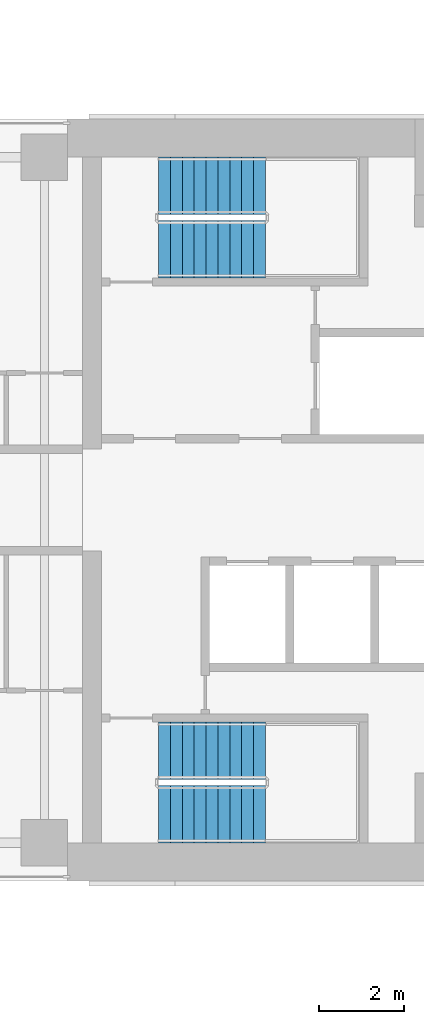
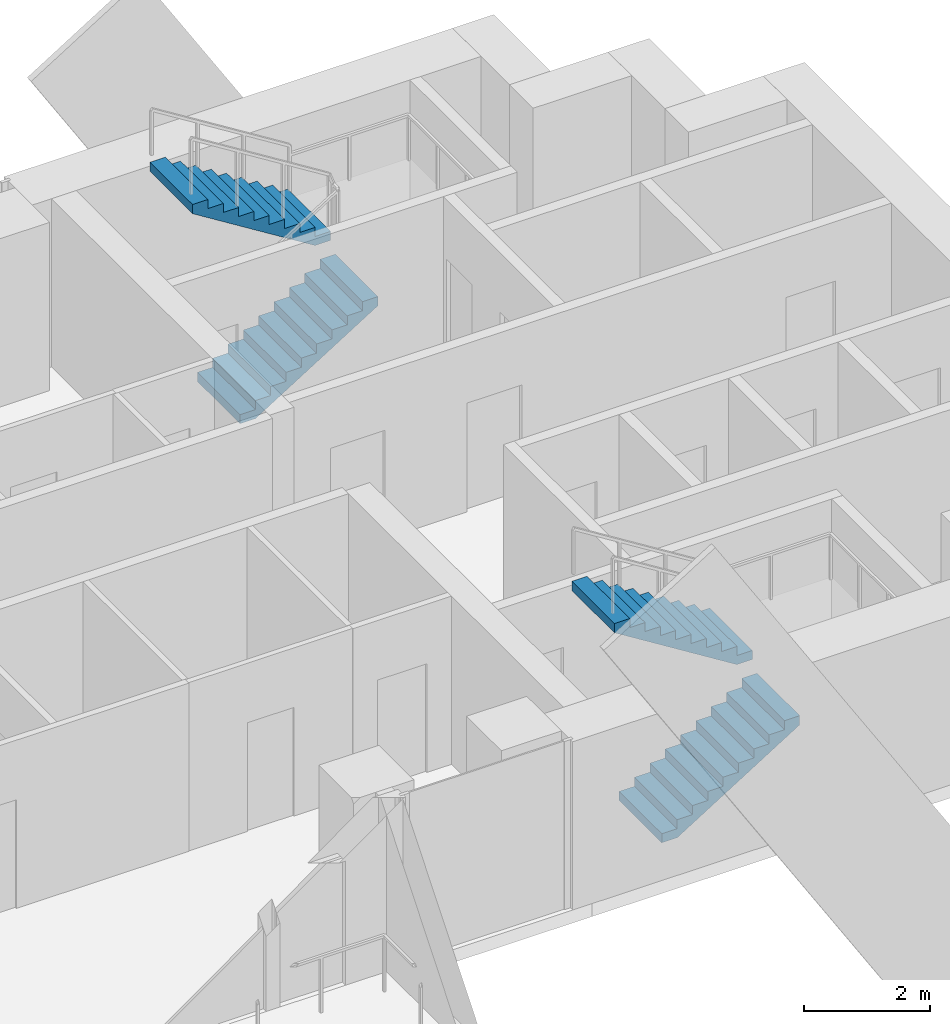
# One storey, part 15 of 19: 4 stair flights, 2 elements without a shape of their own.
"""IFC4 building model written with IfcOpenShell, lengths in metres."""

from ifc_helpers import new_model, si_unit, direction, frame, origin, place, context, subcontext, project, spatial, polyline, outline, extrude, material, type_object, element, aggregate, save


model = new_model("IFC4")

# Units and contexts
model_context = context("Model", 3, precision=1e-05, world=origin(), true_north=direction((0.0, 1.0)))
body_context = subcontext(model_context, "Body", "Model", "MODEL_VIEW")
ifc_project = project(units=[si_unit("LENGTHUNIT", "METRE"), si_unit("AREAUNIT", "SQUARE_METRE"), si_unit("VOLUMEUNIT", "CUBIC_METRE"), si_unit("PLANEANGLEUNIT", "RADIAN"), si_unit("MASSUNIT", "GRAM", prefix="KILO")], contexts=[model_context])

# Site, building, storey
site_placement = place(None, origin())
site = spatial("IfcSite", under=ifc_project, at=site_placement, CompositionType="ELEMENT")
building_placement = place(site_placement, origin())
building = spatial("IfcBuilding", under=site, at=building_placement, Name="Perihelion Cross Residences", CompositionType="ELEMENT")
storey_placement = place(building_placement, frame((0.0, 0.0, 137.39990234375)))
storey = spatial("IfcBuildingStorey", under=building, at=storey_placement, Name="L33", CompositionType="ELEMENT", Elevation=137.39990234375)

# Stair, stair flights
ifc_material_1 = material(Name="Concrete C40/50", Category="concrete")
stair_type = type_object("IfcStairType", Name="Exit stair, half-turn", PredefinedType="HALF_TURN_STAIR", material=ifc_material_1)
stair_1_placement = place(storey_placement, origin())
stair_1 = element("IfcStair", 1, at=stair_1_placement, inside=storey, type_object=stair_type, Name="L33 East core exit stair 1", PredefinedType="HALF_TURN_STAIR")
ifc_material_2 = material(Name="Concrete C40/50", Category="concrete")
stair_flight_type = type_object("IfcStairFlightType", Name="Exit stair flight", PredefinedType="STRAIGHT", material=ifc_material_2)
stair_flight_1_placement = place(storey_placement, frame((23.39990234375, 5.925048828125, 0.0), z_axis=(0.0, 0.0, 1.0), x_axis=(1.0, 0.0, 0.0)))
stair_flight_1 = element("IfcStairFlight", 2, at=stair_flight_1_placement, type_object=stair_flight_type, Name="ST-E1 flight 1", NumberOfRisers=10, NumberOfTreads=9, PredefinedType="STRAIGHT", RiserHeight=0.175, TreadLength=0.28, context=body_context, shape_type="SweptSolid", body=[
    extrude(outline(polyline([(0.0, 0.0), (0.0, 0.175048828125), (0.280029296875, 0.175048828125), (0.280029296875, 0.35009765625), (0.56005859375, 0.35009765625), (0.56005859375, 0.52490234375), (0.840087890625, 0.52490234375), (0.840087890625, 0.699951171875), (1.1201171875, 0.699951171875), (1.1201171875, 0.875), (1.39990234375, 0.875), (1.39990234375, 1.050048828125), (1.679931640625, 1.050048828125), (1.679931640625, 1.22509765625), (1.9599609375, 1.22509765625), (1.9599609375, 1.39990234375), (2.239990234375, 1.39990234375), (2.239990234375, 1.574951171875), (2.52001953125, 1.574951171875), (2.52001953125, 1.75), (2.52001953125, 1.398193359375), (0.28271484375, 0.0), (0.0, 0.0)])), frame((0.0, 0.675048828125, 0.0), z_axis=(0.0, -1.0, 0.0), x_axis=(1.0, 0.0, 0.0)), (0.0, 0.0, 1.0), 1.35009765625),
])
stair_flight_2_placement = place(storey_placement, frame((25.919921875, 7.425048828125, 1.75), z_axis=(0.0, 0.0, 1.0), x_axis=(-1.0, 0.0, 0.0)))
stair_flight_2 = element("IfcStairFlight", 3, at=stair_flight_2_placement, type_object=stair_flight_type, Name="ST-E1 flight 2", NumberOfRisers=10, NumberOfTreads=9, PredefinedType="STRAIGHT", RiserHeight=0.175, TreadLength=0.28, context=body_context, shape_type="SweptSolid", body=[
    extrude(outline(polyline([(0.0, 0.0), (0.0, 0.175048828125), (0.280029296875, 0.175048828125), (0.280029296875, 0.35009765625), (0.56005859375, 0.35009765625), (0.56005859375, 0.52490234375), (0.840087890625, 0.52490234375), (0.840087890625, 0.699951171875), (1.1201171875, 0.699951171875), (1.1201171875, 0.875), (1.39990234375, 0.875), (1.39990234375, 1.050048828125), (1.679931640625, 1.050048828125), (1.679931640625, 1.22509765625), (1.9599609375, 1.22509765625), (1.9599609375, 1.39990234375), (2.239990234375, 1.39990234375), (2.239990234375, 1.574951171875), (2.52001953125, 1.574951171875), (2.52001953125, 1.75), (2.52001953125, 1.398193359375), (0.28271484375, 0.0), (0.0, 0.0)])), frame((0.0, 0.675048828125, 0.0), z_axis=(0.0, -1.0, 0.0), x_axis=(1.0, 0.0, 0.0)), (0.0, 0.0, 1.0), 1.35009765625),
])
aggregate(stair_1, [stair_flight_1, stair_flight_2])

stair_2_placement = place(storey_placement, origin())
stair_2 = element("IfcStair", 4, at=stair_2_placement, inside=storey, type_object=stair_type, Name="L33 East core exit stair 2", PredefinedType="HALF_TURN_STAIR")
stair_flight_3_placement = place(storey_placement, frame((23.39990234375, -7.425048828125, 0.0), z_axis=(0.0, 0.0, 1.0), x_axis=(1.0, 0.0, 0.0)))
stair_flight_3 = element("IfcStairFlight", 5, at=stair_flight_3_placement, type_object=stair_flight_type, Name="ST-E2 flight 1", NumberOfRisers=10, NumberOfTreads=9, PredefinedType="STRAIGHT", RiserHeight=0.175, TreadLength=0.28, context=body_context, shape_type="SweptSolid", body=[
    extrude(outline(polyline([(0.0, 0.0), (0.0, 0.175048828125), (0.280029296875, 0.175048828125), (0.280029296875, 0.35009765625), (0.56005859375, 0.35009765625), (0.56005859375, 0.52490234375), (0.840087890625, 0.52490234375), (0.840087890625, 0.699951171875), (1.1201171875, 0.699951171875), (1.1201171875, 0.875), (1.39990234375, 0.875), (1.39990234375, 1.050048828125), (1.679931640625, 1.050048828125), (1.679931640625, 1.22509765625), (1.9599609375, 1.22509765625), (1.9599609375, 1.39990234375), (2.239990234375, 1.39990234375), (2.239990234375, 1.574951171875), (2.52001953125, 1.574951171875), (2.52001953125, 1.75), (2.52001953125, 1.398193359375), (0.28271484375, 0.0), (0.0, 0.0)])), frame((0.0, 0.675048828125, 0.0), z_axis=(0.0, -1.0, 0.0), x_axis=(1.0, 0.0, 0.0)), (0.0, 0.0, 1.0), 1.35009765625),
])
stair_flight_4_placement = place(storey_placement, frame((25.919921875, -5.925048828125, 1.75), z_axis=(0.0, 0.0, 1.0), x_axis=(-1.0, 0.0, 0.0)))
stair_flight_4 = element("IfcStairFlight", 6, at=stair_flight_4_placement, type_object=stair_flight_type, Name="ST-E2 flight 2", NumberOfRisers=10, NumberOfTreads=9, PredefinedType="STRAIGHT", RiserHeight=0.175, TreadLength=0.28, context=body_context, shape_type="SweptSolid", body=[
    extrude(outline(polyline([(0.0, 0.0), (0.0, 0.175048828125), (0.280029296875, 0.175048828125), (0.280029296875, 0.35009765625), (0.56005859375, 0.35009765625), (0.56005859375, 0.52490234375), (0.840087890625, 0.52490234375), (0.840087890625, 0.699951171875), (1.1201171875, 0.699951171875), (1.1201171875, 0.875), (1.39990234375, 0.875), (1.39990234375, 1.050048828125), (1.679931640625, 1.050048828125), (1.679931640625, 1.22509765625), (1.9599609375, 1.22509765625), (1.9599609375, 1.39990234375), (2.239990234375, 1.39990234375), (2.239990234375, 1.574951171875), (2.52001953125, 1.574951171875), (2.52001953125, 1.75), (2.52001953125, 1.398193359375), (0.28271484375, 0.0), (0.0, 0.0)])), frame((0.0, 0.675048828125, 0.0), z_axis=(0.0, -1.0, 0.0), x_axis=(1.0, 0.0, 0.0)), (0.0, 0.0, 1.0), 1.35009765625),
])
aggregate(stair_2, [stair_flight_3, stair_flight_4])

save(model, "model.ifc")
